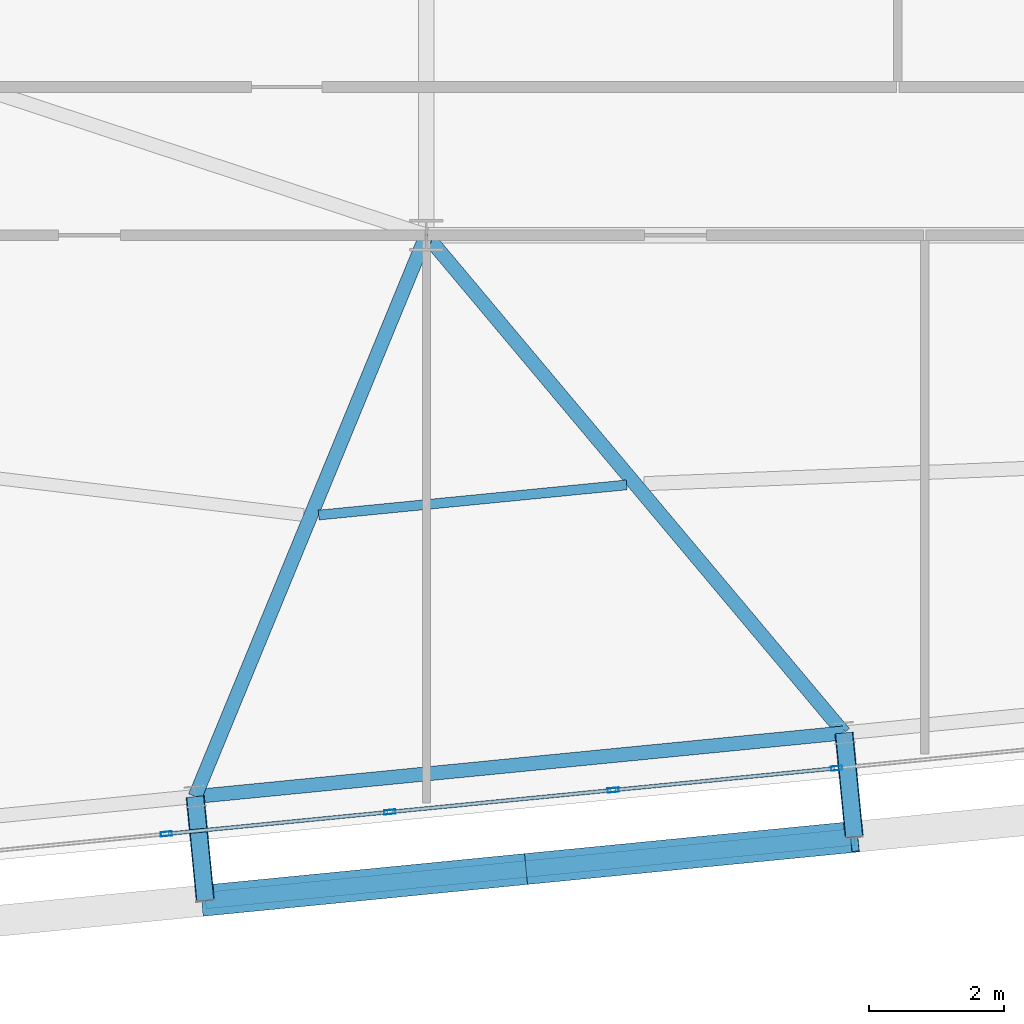
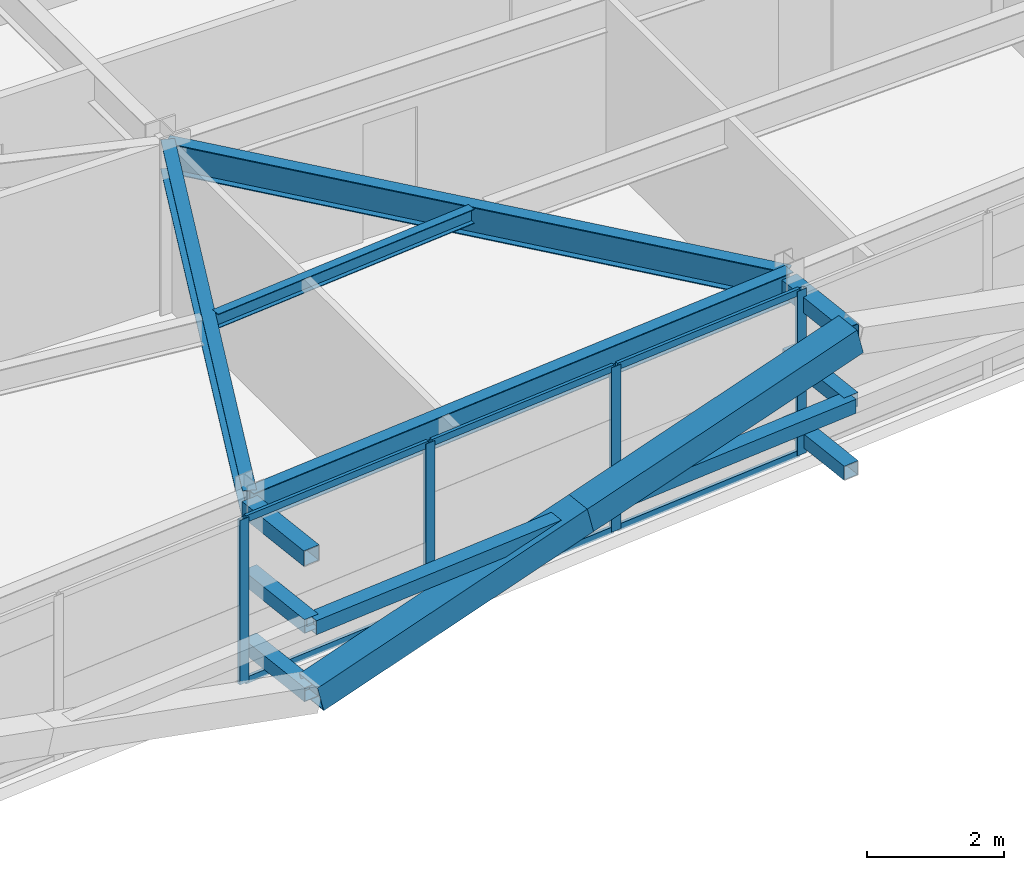
# One storey, part 10 of 52: 19 members, 4 beams, 1 element without a shape of its own.
"""IFC4 building model written with IfcOpenShell, lengths in metres."""

from ifc_helpers import new_model, si_unit, direction, frame, origin, origin_2d, place, context, subcontext, project, spatial, hollow_rectangle, i_section, extrude, source, transform, mapped, material, layer, layer_set, material_profile, profile_set, type_object, element, aggregate, save


model = new_model("IFC4")

# Units and contexts
model_context = context("Model", 3, precision=1e-05, world=origin(), true_north=direction((0.0, 1.0)))
body_context = subcontext(model_context, "Body", "Model", "MODEL_VIEW")
ifc_project = project(units=[si_unit("LENGTHUNIT", "METRE"), si_unit("AREAUNIT", "SQUARE_METRE"), si_unit("VOLUMEUNIT", "CUBIC_METRE"), si_unit("PLANEANGLEUNIT", "RADIAN"), si_unit("MASSUNIT", "GRAM", prefix="KILO")], contexts=[model_context])

# Site, building, storey
site_placement = place(None, origin())
site = spatial("IfcSite", under=ifc_project, at=site_placement, CompositionType="ELEMENT")
building_placement = place(site_placement, origin())
building = spatial("IfcBuilding", under=site, at=building_placement, Name="Taldren Reach Tower", CompositionType="ELEMENT")
storey_placement = place(building_placement, frame((0.0, 0.0, 77.699951171875)))
storey = spatial("IfcBuildingStorey", under=building, at=storey_placement, Name="L23", CompositionType="ELEMENT", Elevation=77.699951171875)

# Beams
ifc_material_1 = material(Name="Steel Gr 350 (350PLUS)", Category="steel")
ifc_material_profile_1 = material_profile(ifc_material_1, i_section(OverallWidth=0.208984375, OverallDepth=0.528076171875, WebThickness=0.009521484375, FlangeThickness=0.01318359375, at=origin_2d()), Name="530UB82.0")
ifc_profile_set_1 = profile_set([ifc_material_profile_1], Name="Steel Gr 350 (350PLUS)")
beam_type_1 = type_object("IfcBeamType", Name="SP-UB530B", PredefinedType="SPANDREL", material=ifc_profile_set_1)
shared_shape_1 = source(origin(), body_context, "Body", "SweptSolid", [
    extrude(i_section(OverallWidth=0.208984375, OverallDepth=0.528076171875, WebThickness=0.009521484375, FlangeThickness=0.01318359375, at=origin_2d()), origin(), (0.0, 0.0, 1.0), 9.679931640625),
])
beam_1_placement = place(storey_placement, frame((24.56787109375, 0.86474609375, 2.666015625), z_axis=(0.995227612658, 0.097580730699, 0.0), x_axis=(-0.097580730699, 0.995227612658, 0.0)))
element("IfcBeam", 1, at=beam_1_placement, inside=storey, type_object=beam_type_1, Name="Perimeter spandrel B2 S2-S3 L23", PredefinedType="SPANDREL", context=body_context, shape_type="MappedRepresentation", body=[
    mapped(shared_shape_1, transform((0.0, 0.0, 0.0), scale=1.0)),
])
ifc_material_profile_2 = material_profile(ifc_material_1, i_section(OverallWidth=0.208984375, OverallDepth=0.532958984375, WebThickness=0.01025390625, FlangeThickness=0.015625, at=origin_2d()), Name="530UB92.4")
ifc_profile_set_2 = profile_set([ifc_material_profile_2], Name="Steel Gr 350 (350PLUS)")
beam_type_2 = type_object("IfcBeamType", Name="BM-UB530A", PredefinedType="BEAM", material=ifc_profile_set_2)
shared_shape_2 = source(origin(), body_context, "Body", "SweptSolid", [
    extrude(i_section(OverallWidth=0.208984375, OverallDepth=0.532958984375, WebThickness=0.01025390625, FlangeThickness=0.015625, at=origin_2d()), origin(), (0.0, 0.0, 1.0), 9.01416015625),
])
beam_2_placement = place(storey_placement, frame((28.0, 9.199951171875, 2.66357421875), z_axis=(-0.380748443035, -0.924678659387, 0.0), x_axis=(0.924678659387, -0.380748443035, 0.0)))
element("IfcBeam", 2, at=beam_2_placement, inside=storey, type_object=beam_type_2, Name="Primary floor girder B2-S2 L23", PredefinedType="BEAM", context=body_context, shape_type="MappedRepresentation", body=[
    mapped(shared_shape_2, transform((0.0, 0.0, 0.0), scale=1.0)),
])
shared_shape_3 = source(origin(), body_context, "Body", "SweptSolid", [
    extrude(i_section(OverallWidth=0.208984375, OverallDepth=0.532958984375, WebThickness=0.01025390625, FlangeThickness=0.015625, at=origin_2d()), origin(), (0.0, 0.0, 1.0), 9.64794921875),
])
beam_3_placement = place(storey_placement, frame((28.0, 9.199951171875, 2.66357421875), z_axis=(0.642799132398, -0.766034774268, 0.0), x_axis=(0.766034774268, 0.642799132398, 0.0)))
element("IfcBeam", 3, at=beam_3_placement, inside=storey, type_object=beam_type_2, Name="Primary floor girder B2-S3 L23", PredefinedType="BEAM", context=body_context, shape_type="MappedRepresentation", body=[
    mapped(shared_shape_3, transform((0.0, 0.0, 0.0), scale=1.0)),
])
ifc_material_2 = material(Name="Steel Gr 300 (300PLUS, 300 MPa)", Category="steel")
ifc_material_profile_3 = material_profile(ifc_material_2, i_section(OverallWidth=0.14599609375, OverallDepth=0.256103515625, WebThickness=0.00634765625, FlangeThickness=0.010986328125, at=origin_2d()), Name="250UB37.3")
ifc_profile_set_3 = profile_set([ifc_material_profile_3], Name="Steel Gr 300 (300PLUS, 300 MPa)")
beam_type_3 = type_object("IfcBeamType", Name="JS-UB250", PredefinedType="JOIST", material=ifc_profile_set_3)
shared_shape_4 = source(origin(), body_context, "Body", "SweptSolid", [
    extrude(i_section(OverallWidth=0.14599609375, OverallDepth=0.256103515625, WebThickness=0.00634765625, FlangeThickness=0.010986328125, at=origin_2d()), origin(), (0.0, 0.0, 1.0), 4.594970703125),
])
beam_4_placement = place(storey_placement, frame((26.40185546875, 5.0439453125, 2.802001953125), z_axis=(0.995230447096, 0.097551817888, 0.0), x_axis=(-0.097551817888, 0.995230447096, 0.0)))
element("IfcBeam", 4, at=beam_4_placement, inside=storey, type_object=beam_type_3, Name="Secondary floor joist B2 J2 L23", PredefinedType="JOIST", context=body_context, shape_type="MappedRepresentation", body=[
    mapped(shared_shape_4, transform((0.0, 0.0, 0.0), scale=1.0)),
])

# Members
ifc_material_3 = material(Name="Steel Gr 450 (C450L0)", Category="steel")
ifc_material_profile_4 = material_profile(ifc_material_3, hollow_rectangle(XDim=0.27490234375, YDim=0.27490234375, WallThickness=0.00927734375, at=origin_2d()), Name="275x275x9.3SHS")
ifc_profile_set_4 = profile_set([ifc_material_profile_4], Name="Steel Gr 450 (C450L0)")
member_type_1 = type_object("IfcMemberType", Name="MB-TIE273", PredefinedType="STRUT", material=ifc_profile_set_4)
shared_shape_5 = source(origin(), body_context, "Body", "SweptSolid", [
    extrude(hollow_rectangle(XDim=0.27490234375, YDim=0.27490234375, WallThickness=0.00927734375, at=origin_2d()), origin(), (0.0, 0.0, 1.0), 1.550048828125),
])
for number, where, z_axis, x_axis, name in (
    (5, (24.56787109375, 0.86474609375, 2.650146484375), (0.097647892962, -0.9952210252, 0.0), (0.9952210252, 0.097647892962, 0.0), "Exoskeleton diaphragm tie strut B2-S2 L23"),
    (6, (34.20166015625, 1.809326171875, 2.650146484375), (0.097647892962, -0.9952210252, 0.0), (0.9952210252, 0.097647892962, 0.0), "Exoskeleton diaphragm tie strut B2-S3 L23"),
):
    element("IfcMember", number, at=place(storey_placement, frame(where, z_axis=z_axis, x_axis=x_axis)), inside=storey, type_object=member_type_1, Name=name, PredefinedType="STRUT", context=body_context, shape_type="MappedRepresentation", body=[
        mapped(shared_shape_5, transform((0.0, 0.0, 0.0), scale=1.0)),
    ])
ifc_material_profile_5 = material_profile(ifc_material_3, hollow_rectangle(XDim=0.4599609375, YDim=0.4599609375, WallThickness=0.01611328125, at=origin_2d()), Name="460x460x16.0SHS")
ifc_profile_set_5 = profile_set([ifc_material_profile_5], Name="Steel Gr 450 (C450L0)")
member_type_2 = type_object("IfcMemberType", Name="MB-EXO457", PredefinedType="BRACE", material=ifc_profile_set_5)
shared_shape_6 = source(origin(), body_context, "Body", "SweptSolid", [
    extrude(hollow_rectangle(XDim=0.4599609375, YDim=0.4599609375, WallThickness=0.01611328125, at=origin_2d()), origin(), (0.0, 0.0, 1.0), 4.990234375),
])
for number, where, z_axis, x_axis, name in (
    (7, (24.71923828125, -0.677978515625, 0.219970703125), (0.965271056716, 0.094667992638, 0.243494883389), (-0.097605711627, 0.995225162995, 0.0), "Exoskeleton Diagrid Brace B2-S2 L23"),
    (8, (29.5361328125, -0.20556640625, 1.43505859375), (0.965275526283, 0.094619506732, 0.243496010862), (-0.097555749586, 0.995230061706, 0.0), "Exoskeleton Diagrid Brace B2-S2 L23"),
):
    element("IfcMember", number, at=place(storey_placement, frame(where, z_axis=z_axis, x_axis=x_axis)), inside=storey, type_object=member_type_2, Name=name, PredefinedType="BRACE", context=body_context, shape_type="MappedRepresentation", body=[
        mapped(shared_shape_6, transform((0.0, 0.0, 0.0), scale=1.0)),
    ])
ifc_material_4 = material(Name="Steel Gr 350 (C350L0)", Category="steel")
ifc_material_profile_6 = material_profile(ifc_material_4, hollow_rectangle(XDim=0.25, YDim=0.25, WallThickness=0.010009765625, at=origin_2d()), Name="250x250x10.0SHS")
ifc_profile_set_6 = profile_set([ifc_material_profile_6], Name="Steel Gr 350 (C350L0)")
member_type_3 = type_object("IfcMemberType", Name="MB-POST250", PredefinedType="POST", material=ifc_profile_set_6)
shared_shape_7 = source(origin(), body_context, "Body", "SweptSolid", [
    extrude(hollow_rectangle(XDim=0.25, YDim=0.25, WallThickness=0.010009765625, at=origin_2d()), origin(), (0.0, 0.0, 1.0), 9.679931640625),
])
member_1_placement = place(storey_placement, frame((24.71923828125, -0.677978515625, 1.43505859375), z_axis=(0.995227612658, 0.097580730699, 0.0), x_axis=(-0.097580730699, 0.995227612658, 0.0)))
element("IfcMember", 9, at=member_1_placement, inside=storey, type_object=member_type_3, Name="Exoskeleton mid-height ring chord B2-S2 L23", PredefinedType="POST", context=body_context, shape_type="MappedRepresentation", body=[
    mapped(shared_shape_7, transform((0.0, 0.0, 0.0), scale=1.0)),
])
shared_shape_8 = source(origin(), body_context, "Body", "SweptSolid", [
    extrude(hollow_rectangle(XDim=0.25, YDim=0.25, WallThickness=0.010009765625, at=origin_2d()), origin(), (0.0, 0.0, 1.0), 1.550048828125),
])
for number, where, z_axis, x_axis, name in (
    (10, (24.56787109375, 0.86474609375, 0.219970703125), (0.097647892962, -0.9952210252, 0.0), (0.9952210252, 0.097647892962, 0.0), "Exoskeleton base diaphragm tie strut B2-S2 L23"),
    (11, (34.20166015625, 1.809326171875, 0.219970703125), (0.097647892962, -0.9952210252, 0.0), (0.9952210252, 0.097647892962, 0.0), "Exoskeleton base diaphragm tie strut B2-S3 L23"),
    (12, (24.56787109375, 0.86474609375, 1.43505859375), (0.097647892962, -0.9952210252, 0.0), (0.9952210252, 0.097647892962, 0.0), "Exoskeleton mid-tier diaphragm tie B2-S2 L23"),
    (13, (34.20166015625, 1.809326171875, 1.43505859375), (0.097647892962, -0.9952210252, 0.0), (0.9952210252, 0.097647892962, 0.0), "Exoskeleton mid-tier diaphragm tie B2-S3 L23"),
):
    element("IfcMember", number, at=place(storey_placement, frame(where, z_axis=z_axis, x_axis=x_axis)), inside=storey, type_object=member_type_3, Name=name, PredefinedType="POST", context=body_context, shape_type="MappedRepresentation", body=[
        mapped(shared_shape_8, transform((0.0, 0.0, 0.0), scale=1.0)),
    ])

# Curtain wall, members
ifc_material_5 = material(Name="Aluminium and Low-E Glass Unitised System", Category="aluminium")
ifc_layer = layer(ifc_material_5, 0.159912109375)
ifc_layer_set = layer_set([ifc_layer], Name="Aluminium and Low-E Glass Unitised System")
curtain_wall_type = type_object("IfcCurtainWallType", Name="CW-SYS-3", PredefinedType="NOTDEFINED", material=ifc_layer_set)
curtain_wall_placement = place(storey_placement, origin())
curtain_wall = element("IfcCurtainWall", 14, at=curtain_wall_placement, inside=storey, type_object=curtain_wall_type, Name="Unitised curtain wall CW-L23-S", PredefinedType="NOTDEFINED")
ifc_material_6 = material(Name="Anodised Aluminium 6063-T6", Category="aluminium")
ifc_material_profile_7 = material_profile(ifc_material_6, hollow_rectangle(XDim=0.06494140625, YDim=0.1650390625, WallThickness=0.00390625, at=origin_2d()), Name="ALU-165x65x4RHS")
ifc_profile_set_7 = profile_set([ifc_material_profile_7], Name="Anodised Aluminium 6063-T6")
member_type_4 = type_object("IfcMemberType", Name="CW-MUL-165", PredefinedType="MULLION", material=ifc_profile_set_7)
shared_shape_9 = source(origin(), body_context, "Body", "SweptSolid", [
    extrude(hollow_rectangle(XDim=0.06494140625, YDim=0.1650390625, WallThickness=0.00390625, at=origin_2d()), origin(), (0.0, 0.0, 1.0), 2.929931640625),
])
member_2_placement = place(storey_placement, frame((24.14013671875, 0.310302734375, 0.0), z_axis=(0.0, 0.0, 1.0), x_axis=(-0.097582999046, 0.995227390247, 0.0)))
member_2 = element("IfcMember", 15, at=member_2_placement, type_object=member_type_4, Name="CW-3 mullion 4", PredefinedType="MULLION", context=body_context, shape_type="MappedRepresentation", body=[
    mapped(shared_shape_9, transform((0.0, 0.0, 0.0), scale=1.0)),
])
member_3_placement = place(storey_placement, frame((27.45751953125, 0.635498046875, 0.0), z_axis=(0.0, 0.0, 1.0), x_axis=(-0.097582999046, 0.995227390247, 0.0)))
member_3 = element("IfcMember", 16, at=member_3_placement, type_object=member_type_4, Name="CW-3 mullion 5", PredefinedType="MULLION", context=body_context, shape_type="MappedRepresentation", body=[
    mapped(shared_shape_9, transform((0.0, 0.0, 0.0), scale=1.0)),
])
member_4_placement = place(storey_placement, frame((30.77490234375, 0.9609375, 0.0), z_axis=(0.0, 0.0, 1.0), x_axis=(-0.097582999046, 0.995227390247, 0.0)))
member_4 = element("IfcMember", 17, at=member_4_placement, type_object=member_type_4, Name="CW-3 mullion 6", PredefinedType="MULLION", context=body_context, shape_type="MappedRepresentation", body=[
    mapped(shared_shape_9, transform((0.0, 0.0, 0.0), scale=1.0)),
])
member_5_placement = place(storey_placement, frame((34.09228515625, 1.2861328125, 0.0), z_axis=(0.0, 0.0, 1.0), x_axis=(-0.097582999046, 0.995227390247, 0.0)))
member_5 = element("IfcMember", 18, at=member_5_placement, type_object=member_type_4, Name="CW-3 mullion 7", PredefinedType="MULLION", context=body_context, shape_type="MappedRepresentation", body=[
    mapped(shared_shape_9, transform((0.0, 0.0, 0.0), scale=1.0)),
])
ifc_material_profile_8 = material_profile(ifc_material_6, hollow_rectangle(XDim=0.054931640625, YDim=0.1201171875, WallThickness=0.0029296875, at=origin_2d()), Name="ALU-120x55x3RHS")
ifc_profile_set_8 = profile_set([ifc_material_profile_8], Name="Anodised Aluminium 6063-T6")
member_type_5 = type_object("IfcMemberType", Name="CW-TRN-135", PredefinedType="USERDEFINED", material=ifc_profile_set_8)
shared_shape_10 = source(origin(), body_context, "Body", "SweptSolid", [
    extrude(hollow_rectangle(XDim=0.054931640625, YDim=0.1201171875, WallThickness=0.0029296875, at=origin_2d()), origin(), (0.0, 0.0, 1.0), 3.268310546875),
])
member_6_placement = place(storey_placement, frame((24.17236328125, 0.3134765625, 0.027587890625), z_axis=(0.99522980512, 0.097558367146, 0.0), x_axis=(-0.097558367146, 0.99522980512, 0.0)))
member_6 = element("IfcMember", 19, at=member_6_placement, type_object=member_type_5, Name="CW-3 transom 4.1", ObjectType="TRANSOM", PredefinedType="USERDEFINED", context=body_context, shape_type="MappedRepresentation", body=[
    mapped(shared_shape_10, transform((0.0, 0.0, 0.0), scale=1.0)),
])
member_7_placement = place(storey_placement, frame((24.17236328125, 0.3134765625, 2.902587890625), z_axis=(0.99522980512, 0.097558367146, 0.0), x_axis=(-0.097558367146, 0.99522980512, 0.0)))
member_7 = element("IfcMember", 20, at=member_7_placement, type_object=member_type_5, Name="CW-3 transom 4.2", ObjectType="TRANSOM", PredefinedType="USERDEFINED", context=body_context, shape_type="MappedRepresentation", body=[
    mapped(shared_shape_10, transform((0.0, 0.0, 0.0), scale=1.0)),
])
member_8_placement = place(storey_placement, frame((27.48974609375, 0.638671875, 0.027587890625), z_axis=(0.995222549564, 0.097632355496, 0.0), x_axis=(-0.097632355496, 0.995222549564, 0.0)))
member_8 = element("IfcMember", 21, at=member_8_placement, type_object=member_type_5, Name="CW-3 transom 5.1", ObjectType="TRANSOM", PredefinedType="USERDEFINED", context=body_context, shape_type="MappedRepresentation", body=[
    mapped(shared_shape_10, transform((0.0, 0.0, 0.0), scale=1.0)),
])
member_9_placement = place(storey_placement, frame((27.48974609375, 0.638671875, 2.902587890625), z_axis=(0.995222549564, 0.097632355496, 0.0), x_axis=(-0.097632355496, 0.995222549564, 0.0)))
member_9 = element("IfcMember", 22, at=member_9_placement, type_object=member_type_5, Name="CW-3 transom 5.2", ObjectType="TRANSOM", PredefinedType="USERDEFINED", context=body_context, shape_type="MappedRepresentation", body=[
    mapped(shared_shape_10, transform((0.0, 0.0, 0.0), scale=1.0)),
])
shared_shape_11 = source(origin(), body_context, "Body", "SweptSolid", [
    extrude(hollow_rectangle(XDim=0.054931640625, YDim=0.1201171875, WallThickness=0.0029296875, at=origin_2d()), origin(), (0.0, 0.0, 1.0), 3.2685546875),
])
member_10_placement = place(storey_placement, frame((30.80712890625, 0.964111328125, 0.027587890625), z_axis=(0.99523051601, 0.097551114824, 0.0), x_axis=(-0.097551114824, 0.99523051601, 0.0)))
member_10 = element("IfcMember", 23, at=member_10_placement, type_object=member_type_5, Name="CW-3 transom 6.1", ObjectType="TRANSOM", PredefinedType="USERDEFINED", context=body_context, shape_type="MappedRepresentation", body=[
    mapped(shared_shape_11, transform((0.0, 0.0, 0.0), scale=1.0)),
])
member_11_placement = place(storey_placement, frame((30.80712890625, 0.964111328125, 2.902587890625), z_axis=(0.99523051601, 0.097551114824, 0.0), x_axis=(-0.097551114824, 0.99523051601, 0.0)))
member_11 = element("IfcMember", 24, at=member_11_placement, type_object=member_type_5, Name="CW-3 transom 6.2", ObjectType="TRANSOM", PredefinedType="USERDEFINED", context=body_context, shape_type="MappedRepresentation", body=[
    mapped(shared_shape_11, transform((0.0, 0.0, 0.0), scale=1.0)),
])
aggregate(curtain_wall, [member_2, member_3, member_4, member_5, member_6, member_7, member_8, member_9, member_10, member_11])

save(model, "model.ifc")
